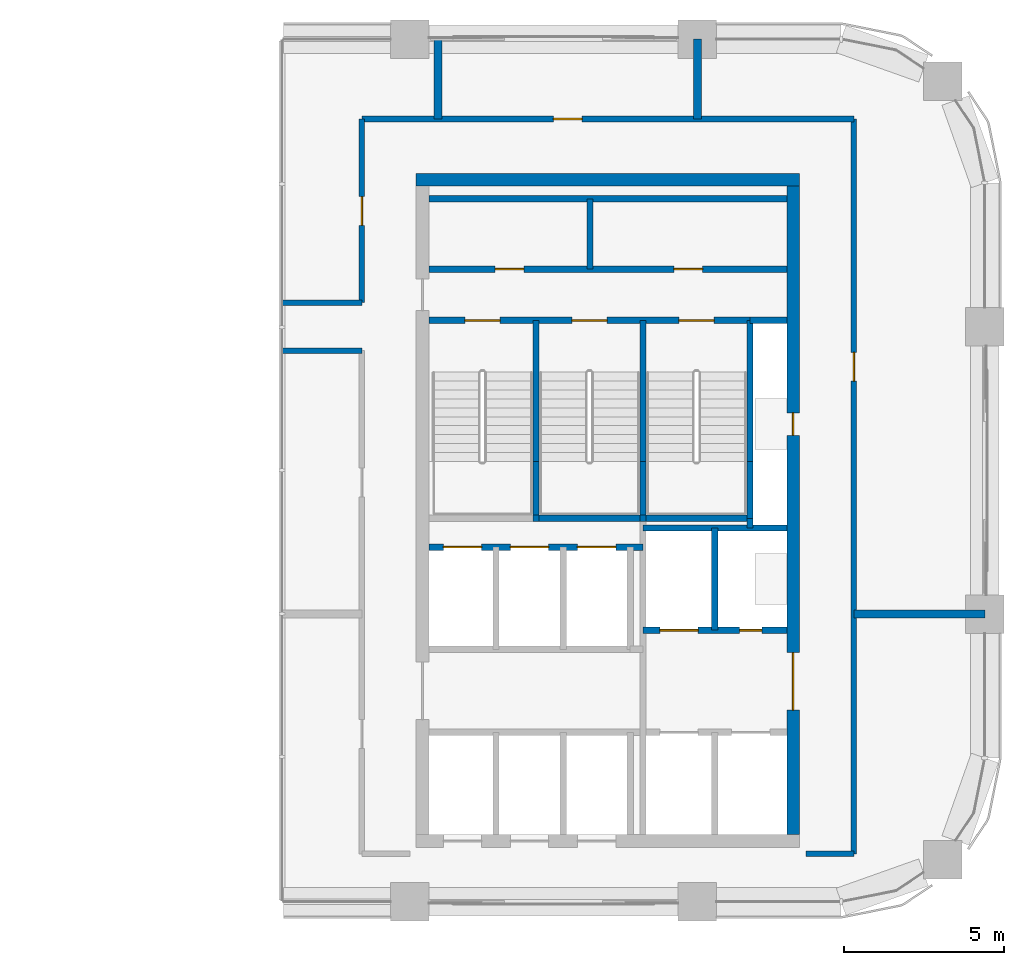
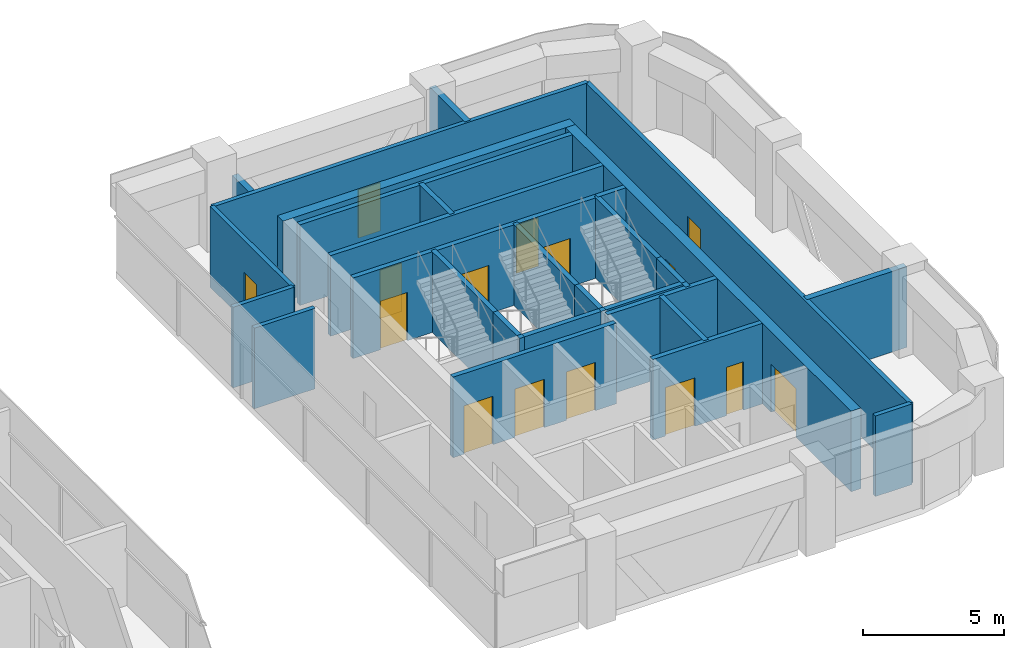
# One storey, part 8 of 11: 31 walls, 15 doors, 15 openings.
"""IFC4 building model written with IfcOpenShell, lengths in metres."""

from ifc_helpers import new_model, si_unit, direction, frame, frame_2d, origin, place, context, subcontext, project, spatial, rectangle, extrude, material, layer, layer_set, type_object, element, fill, save


model = new_model("IFC4")

# Units and contexts
model_context = context("Model", 3, precision=1e-05, world=origin(), true_north=direction((0.0, 1.0)))
body_context = subcontext(model_context, "Body", "Model", "MODEL_VIEW")
ifc_project = project(units=[si_unit("LENGTHUNIT", "METRE"), si_unit("AREAUNIT", "SQUARE_METRE"), si_unit("VOLUMEUNIT", "CUBIC_METRE"), si_unit("PLANEANGLEUNIT", "RADIAN"), si_unit("MASSUNIT", "GRAM", prefix="KILO")], contexts=[model_context])

# Site, building, storey
site_placement = place(None, origin())
site = spatial("IfcSite", under=ifc_project, at=site_placement, CompositionType="ELEMENT")
building_placement = place(site_placement, origin())
building = spatial("IfcBuilding", under=site, at=building_placement, Name="Tessera Arch", CompositionType="ELEMENT")
storey_placement = place(building_placement, frame((0.0, 0.0, 222.800048828125)))
storey = spatial("IfcBuildingStorey", under=building, at=storey_placement, Name="L53", CompositionType="ELEMENT", Elevation=222.800048828125)

# Wall
ifc_material_1 = material(Name="Gypsum board on steel stud", Category="steel")
ifc_layer_1 = layer(ifc_material_1, 0.125)
ifc_layer_set_1 = layer_set([ifc_layer_1], Name="Core partition 125 EI 60")
wall_type_1 = type_object("IfcWallType", Name="Core partition 125 EI 60", PredefinedType="PARTITIONING", material=ifc_layer_set_1)
wall_1_placement = place(storey_placement, frame((41.639892578125, 46.800048828125, 0.0), z_axis=(0.0, 0.0, 1.0), x_axis=(0.0, 1.0, 0.0)))
element("IfcWall", 1, at=wall_1_placement, inside=storey, type_object=wall_type_1, Name="L53 C1 partition wall 7", PredefinedType="PARTITIONING", context=body_context, shape_type="SweptSolid", body=[
    extrude(rectangle(XDim=2.199951171875, YDim=0.199951171875, at=frame_2d((1.10009765625, 0.0))), origin(), (0.0, 0.0, 1.0), 3.5),
])

# Wall, openings, doors
wall_2_placement = place(storey_placement, frame((36.60009765625, 46.800048828125, 0.0), z_axis=(0.0, 0.0, 1.0), x_axis=(1.0, 0.0, 0.0)))
wall_2 = element("IfcWall", 2, at=wall_2_placement, inside=storey, type_object=wall_type_1, Name="L53 C1 partition wall 31", PredefinedType="PARTITIONING", context=body_context, shape_type="SweptSolid", body=[
    extrude(rectangle(XDim=11.199951171875, YDim=0.199951171875, at=frame_2d((5.60009765625, 0.0))), origin(), (0.0, 0.0, 1.0), 3.5),
])
opening_1_placement = place(wall_2_placement, frame((2.070068359375, 0.0, 0.0)))
opening_1 = element("IfcOpeningElement", 3, at=opening_1_placement, cuts=wall_2, Name="Opening L53-C18", PredefinedType="OPENING", context=body_context, shape_type="SweptSolid", body=[
    extrude(rectangle(XDim=0.89990234375, YDim=2.10009765625, at=frame_2d((0.449951171875, 1.050048828125))), frame((0.0, 0.10986328125, 0.0), z_axis=(0.0, -1.0, 0.0), x_axis=(1.0, 0.0, 0.0)), (0.0, 0.0, 1.0), 0.219970703125),
])
opening_2_placement = place(wall_2_placement, frame((7.669921875, 0.0, 0.0)))
opening_2 = element("IfcOpeningElement", 4, at=opening_2_placement, cuts=wall_2, Name="Opening L53-C19", PredefinedType="OPENING", context=body_context, shape_type="SweptSolid", body=[
    extrude(rectangle(XDim=0.89990234375, YDim=2.10009765625, at=frame_2d((0.449951171875, 1.050048828125))), frame((0.0, 0.10986328125, 0.0), z_axis=(0.0, -1.0, 0.0), x_axis=(1.0, 0.0, 0.0)), (0.0, 0.0, 1.0), 0.219970703125),
])
ifc_material_2 = material(Name="Steel door leaf", Category="steel")
door_type_1 = type_object("IfcDoorType", Name="Store door FD30S 900 x 2100", OperationType="SINGLE_SWING_LEFT", PredefinedType="DOOR", material=ifc_material_2)
door_1_placement = place(opening_1_placement, origin())
door_1 = element("IfcDoor", 5, at=door_1_placement, inside=storey, type_object=door_type_1, Name="L53 C1 door 18 C18 type D09", OperationType="SINGLE_SWING_LEFT", OverallHeight=2.10009765625, OverallWidth=0.89990234375, PredefinedType="DOOR", context=body_context, shape_type="SweptSolid", body=[
    extrude(rectangle(XDim=0.89990234375, YDim=2.10009765625, at=frame_2d((0.449951171875, 1.050048828125))), frame((0.0, 0.02490234375, 0.0), z_axis=(0.0, -1.0, 0.0), x_axis=(1.0, 0.0, 0.0)), (0.0, 0.0, 1.0), 0.050048828125),
])
fill(opening_1, door_1)
door_2_placement = place(opening_2_placement, origin())
door_2 = element("IfcDoor", 6, at=door_2_placement, inside=storey, type_object=door_type_1, Name="L53 C1 door 19 C19 type D09", OperationType="SINGLE_SWING_RIGHT", OverallHeight=2.10009765625, OverallWidth=0.89990234375, PredefinedType="DOOR", context=body_context, shape_type="SweptSolid", body=[
    extrude(rectangle(XDim=0.89990234375, YDim=2.10009765625, at=frame_2d((0.449951171875, 1.050048828125))), frame((0.0, 0.02490234375, 0.0), z_axis=(0.0, -1.0, 0.0), x_axis=(1.0, 0.0, 0.0)), (0.0, 0.0, 1.0), 0.050048828125),
])
fill(opening_2, door_2)

# Walls
wall_3_placement = place(storey_placement, frame((36.60009765625, 49.0, 0.0), z_axis=(0.0, 0.0, 1.0), x_axis=(1.0, 0.0, 0.0)))
element("IfcWall", 7, at=wall_3_placement, inside=storey, type_object=wall_type_1, Name="L53 C1 partition wall 32", PredefinedType="PARTITIONING", context=body_context, shape_type="SweptSolid", body=[
    extrude(rectangle(XDim=11.199951171875, YDim=0.199951171875, at=frame_2d((5.60009765625, 0.0))), origin(), (0.0, 0.0, 1.0), 3.5),
])
ifc_material_3 = material(Name="Concrete C50/60", Category="concrete")
ifc_layer_2 = layer(ifc_material_3, 0.39990234375)
ifc_layer_set_2 = layer_set([ifc_layer_2], Name="Core shell wall 400 C50-60")
wall_type_2 = type_object("IfcWallType", Name="Core shell wall 400 C50-60", PredefinedType="SHEAR", material=ifc_layer_set_2)
wall_4_placement = place(storey_placement, frame((36.199951171875, 49.60009765625, 0.0), z_axis=(0.0, 0.0, 1.0), x_axis=(1.0, 0.0, 0.0)))
element("IfcWall", 8, at=wall_4_placement, inside=storey, type_object=wall_type_2, Name="L53 C1 core wall N", PredefinedType="SHEAR", context=body_context, shape_type="SweptSolid", body=[
    extrude(rectangle(XDim=12.0, YDim=0.39990234375, at=frame_2d((6.0, 0.0))), origin(), (0.0, 0.0, 1.0), 3.5),
])

# Wall, openings, doors
wall_5_placement = place(storey_placement, frame((48.0, 29.10009765625, 0.0), z_axis=(0.0, 0.0, 1.0), x_axis=(0.0, 1.0, 0.0)))
wall_5 = element("IfcWall", 9, at=wall_5_placement, inside=storey, type_object=wall_type_2, Name="L53 C1 core wall E", PredefinedType="SHEAR", context=body_context, shape_type="SweptSolid", body=[
    extrude(rectangle(XDim=20.2998046875, YDim=0.39990234375, at=frame_2d((10.14990234375, 0.0))), origin(), (0.0, 0.0, 1.0), 3.5),
])
opening_3_placement = place(wall_5_placement, frame((12.5, 0.0, 0.0)))
opening_3 = element("IfcOpeningElement", 10, at=opening_3_placement, cuts=wall_5, Name="Opening L53-C14", PredefinedType="OPENING", context=body_context, shape_type="SweptSolid", body=[
    extrude(rectangle(XDim=0.699951171875, YDim=2.10009765625, at=frame_2d((0.35009765625, 1.050048828125))), frame((0.0, 0.2099609375, 0.0), z_axis=(0.0, -1.0, 0.0), x_axis=(1.0, 0.0, 0.0)), (0.0, 0.0, 1.0), 0.419921875),
])
opening_4_placement = place(wall_5_placement, frame((3.89990234375, 0.0, 0.0)))
opening_4 = element("IfcOpeningElement", 11, at=opening_4_placement, cuts=wall_5, Name="Opening L53-C15", PredefinedType="OPENING", context=body_context, shape_type="SweptSolid", body=[
    extrude(rectangle(XDim=1.800048828125, YDim=2.10009765625, at=frame_2d((0.89990234375, 1.050048828125))), frame((0.0, 0.2099609375, 0.0), z_axis=(0.0, -1.0, 0.0), x_axis=(1.0, 0.0, 0.0)), (0.0, 0.0, 1.0), 0.419921875),
])
ifc_material_4 = material(Name="Glazed steel door leaf", Category="steel")
door_type_2 = type_object("IfcDoorType", Name="Lobby double door FD60 1800 x 2100", OperationType="DOUBLE_DOOR_SINGLE_SWING", PredefinedType="DOOR", material=ifc_material_4)
door_3_placement = place(opening_4_placement, origin())
door_3 = element("IfcDoor", 12, at=door_3_placement, inside=storey, type_object=door_type_2, Name="L53 C1 door 15 C15 type D19", OperationType="DOUBLE_DOOR_SINGLE_SWING", OverallHeight=2.10009765625, OverallWidth=1.800048828125, PredefinedType="DOOR", context=body_context, shape_type="SweptSolid", body=[
    extrude(rectangle(XDim=1.800048828125, YDim=2.10009765625, at=frame_2d((0.89990234375, 1.050048828125))), frame((0.0, 0.02490234375, 0.0), z_axis=(0.0, -1.0, 0.0), x_axis=(1.0, 0.0, 0.0)), (0.0, 0.0, 1.0), 0.050048828125),
])
fill(opening_4, door_3)
ifc_material_5 = material(Name="Steel door leaf", Category="steel")
door_type_3 = type_object("IfcDoorType", Name="Service shaft door FD60 700 x 2100", OperationType="SINGLE_SWING_LEFT", PredefinedType="DOOR", material=ifc_material_5)
door_4_placement = place(opening_3_placement, origin())
door_4 = element("IfcDoor", 13, at=door_4_placement, inside=storey, type_object=door_type_3, Name="L53 C1 door 14 C14 type D07", OperationType="SINGLE_SWING_RIGHT", OverallHeight=2.10009765625, OverallWidth=0.699951171875, PredefinedType="DOOR", context=body_context, shape_type="SweptSolid", body=[
    extrude(rectangle(XDim=0.699951171875, YDim=2.10009765625, at=frame_2d((0.35009765625, 1.050048828125))), frame((0.0, 0.02490234375, 0.0), z_axis=(0.0, -1.0, 0.0), x_axis=(1.0, 0.0, 0.0)), (0.0, 0.0, 1.0), 0.050048828125),
])
fill(opening_3, door_4)

# Walls
ifc_material_6 = material(Name="Gypsum board on deep steel stud with mineral wool", Category="steel")
ifc_layer_3 = layer(ifc_material_6, 0.175048828125)
ifc_layer_set_3 = layer_set([ifc_layer_3], Name="Corridor wall 175 EI 60")
wall_type_3 = type_object("IfcWallType", Name="Corridor wall 175 EI 60", PredefinedType="PARTITIONING", material=ifc_layer_set_3)
wall_6_placement = place(storey_placement, frame((48.39990234375, 28.5, 0.0), z_axis=(0.0, 0.0, 1.0), x_axis=(1.0, 0.0, 0.0)))
element("IfcWall", 14, at=wall_6_placement, inside=storey, type_object=wall_type_3, Name="L53 partition 4", PredefinedType="PARTITIONING", context=body_context, shape_type="SweptSolid", body=[
    extrude(rectangle(XDim=1.5, YDim=0.175048828125, at=frame_2d((0.75, 0.0))), origin(), (0.0, 0.0, 1.0), 3.5),
])
for number, where, z_axis, x_axis, name in (
    (15, (32.0, 44.25, 0.0), (0.0, 0.0, 1.0), (1.0, 0.0, 0.0), "L53 partition 6"),
    (16, (32.0, 45.75, 0.0), (0.0, 0.0, 1.0), (1.0, 0.0, 0.0), "L53 partition 8"),
):
    element("IfcWall", number, at=place(storey_placement, frame(where, z_axis=z_axis, x_axis=x_axis)), inside=storey, type_object=wall_type_3, Name=name, PredefinedType="PARTITIONING", context=body_context, shape_type="SweptSolid", body=[
        extrude(rectangle(XDim=2.5, YDim=0.175048828125, at=frame_2d((1.25, 0.0))), origin(), (0.0, 0.0, 1.0), 3.5),
    ])

# Wall, opening, door
wall_7_placement = place(storey_placement, frame((34.5, 51.5, 0.0), z_axis=(0.0, 0.0, 1.0), x_axis=(1.0, 0.0, 0.0)))
wall_7 = element("IfcWall", 17, at=wall_7_placement, inside=storey, type_object=wall_type_3, Name="L53 partition 10", PredefinedType="PARTITIONING", context=body_context, shape_type="SweptSolid", body=[
    extrude(rectangle(XDim=15.39990234375, YDim=0.175048828125, at=frame_2d((7.699951171875, 0.0))), origin(), (0.0, 0.0, 1.0), 3.5),
])
opening_5_placement = place(wall_7_placement, frame((5.9951171875, 0.0, 0.0)))
opening_5 = element("IfcOpeningElement", 18, at=opening_5_placement, cuts=wall_7, Name="Opening L53-D010", PredefinedType="OPENING", context=body_context, shape_type="SweptSolid", body=[
    extrude(rectangle(XDim=0.89990234375, YDim=2.10009765625, at=frame_2d((0.449951171875, 1.050048828125))), frame((0.0, 0.097412109375, 0.0), z_axis=(0.0, -1.0, 0.0), x_axis=(1.0, 0.0, 0.0)), (0.0, 0.0, 1.0), 0.195068359375),
])
ifc_material_7 = material(Name="Timber door leaf", Category="wood")
door_type_4 = type_object("IfcDoorType", Name="Room door 900 x 2100", OperationType="SINGLE_SWING_LEFT", PredefinedType="DOOR", material=ifc_material_7)
door_5_placement = place(opening_5_placement, origin())
door_5 = element("IfcDoor", 19, at=door_5_placement, inside=storey, type_object=door_type_4, Name="L53 door D010 type D01", OperationType="SINGLE_SWING_RIGHT", OverallHeight=2.10009765625, OverallWidth=0.89990234375, PredefinedType="DOOR", context=body_context, shape_type="SweptSolid", body=[
    extrude(rectangle(XDim=0.89990234375, YDim=2.10009765625, at=frame_2d((0.449951171875, 1.050048828125))), frame((0.0, 0.02490234375, 0.0), z_axis=(0.0, -1.0, 0.0), x_axis=(1.0, 0.0, 0.0)), (0.0, 0.0, 1.0), 0.050048828125),
])
fill(opening_5, door_5)

wall_8_placement = place(storey_placement, frame((34.5, 45.75, 0.0), z_axis=(0.0, 0.0, 1.0), x_axis=(0.0, 1.0, 0.0)))
wall_8 = element("IfcWall", 20, at=wall_8_placement, inside=storey, type_object=wall_type_3, Name="L53 partition 15", PredefinedType="PARTITIONING", context=body_context, shape_type="SweptSolid", body=[
    extrude(rectangle(XDim=5.75, YDim=0.175048828125, at=frame_2d((2.875, 0.0))), origin(), (0.0, 0.0, 1.0), 3.5),
])
opening_6_placement = place(wall_8_placement, frame((2.425048828125, 0.0, 0.0)))
opening_6 = element("IfcOpeningElement", 21, at=opening_6_placement, cuts=wall_8, Name="Opening L53-D008", PredefinedType="OPENING", context=body_context, shape_type="SweptSolid", body=[
    extrude(rectangle(XDim=0.89990234375, YDim=2.10009765625, at=frame_2d((0.449951171875, 1.050048828125))), frame((0.0, 0.097412109375, 0.0), z_axis=(0.0, -1.0, 0.0), x_axis=(1.0, 0.0, 0.0)), (0.0, 0.0, 1.0), 0.195068359375),
])
door_6_placement = place(opening_6_placement, origin())
door_6 = element("IfcDoor", 22, at=door_6_placement, inside=storey, type_object=door_type_4, Name="L53 door D008 type D01", OperationType="SINGLE_SWING_RIGHT", OverallHeight=2.10009765625, OverallWidth=0.89990234375, PredefinedType="DOOR", context=body_context, shape_type="SweptSolid", body=[
    extrude(rectangle(XDim=0.89990234375, YDim=2.10009765625, at=frame_2d((0.449951171875, 1.050048828125))), frame((0.0, 0.02490234375, 0.0), z_axis=(0.0, -1.0, 0.0), x_axis=(1.0, 0.0, 0.0)), (0.0, 0.0, 1.0), 0.050048828125),
])
fill(opening_6, door_6)

wall_9_placement = place(storey_placement, frame((49.89990234375, 28.5, 0.0), z_axis=(0.0, 0.0, 1.0), x_axis=(0.0, 1.0, 0.0)))
wall_9 = element("IfcWall", 23, at=wall_9_placement, inside=storey, type_object=wall_type_3, Name="L53 partition 16", PredefinedType="PARTITIONING", context=body_context, shape_type="SweptSolid", body=[
    extrude(rectangle(XDim=23.0, YDim=0.175048828125, at=frame_2d((11.5, 0.0))), origin(), (0.0, 0.0, 1.0), 3.5),
])
opening_7_placement = place(wall_9_placement, frame((14.800048828125, 0.0, 0.0)))
opening_7 = element("IfcOpeningElement", 24, at=opening_7_placement, cuts=wall_9, Name="Opening L53-D006", PredefinedType="OPENING", context=body_context, shape_type="SweptSolid", body=[
    extrude(rectangle(XDim=0.89990234375, YDim=2.10009765625, at=frame_2d((0.449951171875, 1.050048828125))), frame((0.0, 0.097412109375, 0.0), z_axis=(0.0, -1.0, 0.0), x_axis=(1.0, 0.0, 0.0)), (0.0, 0.0, 1.0), 0.195068359375),
])
door_7_placement = place(opening_7_placement, origin())
door_7 = element("IfcDoor", 25, at=door_7_placement, inside=storey, type_object=door_type_4, Name="L53 door D006 type D01", OperationType="SINGLE_SWING_LEFT", OverallHeight=2.10009765625, OverallWidth=0.89990234375, PredefinedType="DOOR", context=body_context, shape_type="SweptSolid", body=[
    extrude(rectangle(XDim=0.89990234375, YDim=2.10009765625, at=frame_2d((0.449951171875, 1.050048828125))), frame((0.0, 0.02490234375, 0.0), z_axis=(0.0, -1.0, 0.0), x_axis=(1.0, 0.0, 0.0)), (0.0, 0.0, 1.0), 0.050048828125),
])
fill(opening_7, door_7)

# Walls
ifc_material_8 = material(Name="Double gypsum board on twin steel stud with acoustic mineral wool", Category="steel")
ifc_layer_4 = layer(ifc_material_8, 0.25)
ifc_layer_set_4 = layer_set([ifc_layer_4], Name="Party wall 250 EI 60")
wall_type_4 = type_object("IfcWallType", Name="Party wall 250 EI 60", PredefinedType="PARTITIONING", material=ifc_layer_set_4)
wall_10_placement = place(storey_placement, frame((49.89990234375, 36.0, 0.0), z_axis=(0.0, 0.0, 1.0), x_axis=(1.0, 0.0, 0.0)))
element("IfcWall", 26, at=wall_10_placement, inside=storey, type_object=wall_type_4, Name="L53 partition 20", PredefinedType="PARTITIONING", context=body_context, shape_type="SweptSolid", body=[
    extrude(rectangle(XDim=4.10009765625, YDim=0.25, at=frame_2d((2.050048828125, 0.0))), origin(), (0.0, 0.0, 1.0), 3.5),
])
wall_11_placement = place(storey_placement, frame((36.889892578125, 51.5, 0.0), z_axis=(0.0, 0.0, 1.0), x_axis=(0.0, 1.0, 0.0)))
element("IfcWall", 27, at=wall_11_placement, inside=storey, type_object=wall_type_4, Name="L53 partition 23", PredefinedType="PARTITIONING", context=body_context, shape_type="SweptSolid", body=[
    extrude(rectangle(XDim=2.5, YDim=0.25, at=frame_2d((1.25, 0.0))), origin(), (0.0, 0.0, 1.0), 2.5),
])
wall_12_placement = place(storey_placement, frame((45.0, 51.5, 0.0), z_axis=(0.0, 0.0, 1.0), x_axis=(0.0, 1.0, 0.0)))
element("IfcWall", 28, at=wall_12_placement, inside=storey, type_object=wall_type_4, Name="L53 partition 24", PredefinedType="PARTITIONING", context=body_context, shape_type="SweptSolid", body=[
    extrude(rectangle(XDim=2.5, YDim=0.25, at=frame_2d((1.25, 0.0))), origin(), (0.0, 0.0, 1.0), 3.5),
])
ifc_material_9 = material(Name="Concrete C40/50", Category="concrete")
ifc_layer_5 = layer(ifc_material_9, 0.199951171875)
ifc_layer_set_5 = layer_set([ifc_layer_5], Name="Shaft wall 200 EI 120")
wall_type_5 = type_object("IfcWallType", Name="Shaft wall 200 EI 120", PredefinedType="SOLIDWALL", material=ifc_layer_set_5)
wall_13_placement = place(storey_placement, frame((45.550048828125, 35.5, 0.0), z_axis=(0.0, 0.0, 1.0), x_axis=(0.0, 1.0, 0.0)))
element("IfcWall", 29, at=wall_13_placement, inside=storey, type_object=wall_type_5, Name="L53 C1 shaft wall 14", PredefinedType="SOLIDWALL", context=body_context, shape_type="SweptSolid", body=[
    extrude(rectangle(XDim=3.199951171875, YDim=0.199951171875, at=frame_2d((1.60009765625, 0.0))), origin(), (0.0, 0.0, 1.0), 3.5),
])
wall_14_placement = place(storey_placement, frame((46.64990234375, 38.699951171875, 0.0), z_axis=(0.0, 0.0, 1.0), x_axis=(0.0, 1.0, 0.0)))
element("IfcWall", 30, at=wall_14_placement, inside=storey, type_object=wall_type_5, Name="L53 C1 shaft wall 15", PredefinedType="SOLIDWALL", context=body_context, shape_type="SweptSolid", body=[
    extrude(rectangle(XDim=0.300048828125, YDim=0.199951171875, at=frame_2d((0.14990234375, 0.0))), origin(), (0.0, 0.0, 1.0), 3.5),
])

# Wall, openings, doors
wall_15_placement = place(storey_placement, frame((43.300048828125, 35.5, 0.0), z_axis=(0.0, 0.0, 1.0), x_axis=(1.0, 0.0, 0.0)))
wall_15 = element("IfcWall", 31, at=wall_15_placement, inside=storey, type_object=wall_type_5, Name="L53 C1 shaft wall 21", PredefinedType="SOLIDWALL", context=body_context, shape_type="SweptSolid", body=[
    extrude(rectangle(XDim=4.5, YDim=0.199951171875, at=frame_2d((2.25, 0.0))), origin(), (0.0, 0.0, 1.0), 3.5),
])
opening_8_placement = place(wall_15_placement, frame((0.52490234375, 0.0, 0.0)))
opening_8 = element("IfcOpeningElement", 32, at=opening_8_placement, cuts=wall_15, Name="Opening L53-C09", PredefinedType="OPENING", context=body_context, shape_type="SweptSolid", body=[
    extrude(rectangle(XDim=1.199951171875, YDim=2.10009765625, at=frame_2d((0.60009765625, 1.050048828125))), frame((0.0, 0.10986328125, 0.0), z_axis=(0.0, -1.0, 0.0), x_axis=(1.0, 0.0, 0.0)), (0.0, 0.0, 1.0), 0.219970703125),
])
opening_9_placement = place(wall_15_placement, frame((3.02490234375, 0.0, 0.0)))
opening_9 = element("IfcOpeningElement", 33, at=opening_9_placement, cuts=wall_15, Name="Opening L53-C16", PredefinedType="OPENING", context=body_context, shape_type="SweptSolid", body=[
    extrude(rectangle(XDim=0.699951171875, YDim=2.10009765625, at=frame_2d((0.35009765625, 1.050048828125))), frame((0.0, 0.10986328125, 0.0), z_axis=(0.0, -1.0, 0.0), x_axis=(1.0, 0.0, 0.0)), (0.0, 0.0, 1.0), 0.219970703125),
])
door_8_placement = place(opening_9_placement, origin())
door_8 = element("IfcDoor", 34, at=door_8_placement, inside=storey, type_object=door_type_3, Name="L53 C1 door 16 C16 type D07", OperationType="SINGLE_SWING_RIGHT", OverallHeight=2.10009765625, OverallWidth=0.699951171875, PredefinedType="DOOR", context=body_context, shape_type="SweptSolid", body=[
    extrude(rectangle(XDim=0.699951171875, YDim=2.10009765625, at=frame_2d((0.35009765625, 1.050048828125))), frame((0.0, 0.02490234375, 0.0), z_axis=(0.0, -1.0, 0.0), x_axis=(1.0, 0.0, 0.0)), (0.0, 0.0, 1.0), 0.050048828125),
])
fill(opening_9, door_8)
ifc_material_10 = material(Name="Stainless steel AISI 304", Category="steel")
door_type_5 = type_object("IfcDoorType", Name="Sliding landing door 1200 x 2100", OperationType="SLIDING_TO_LEFT", PredefinedType="DOOR", material=ifc_material_10)
door_9_placement = place(opening_8_placement, origin())
door_9 = element("IfcDoor", 35, at=door_9_placement, inside=storey, type_object=door_type_5, Name="L53 SV2 lift landing door C09 type LD", OperationType="SLIDING_TO_LEFT", OverallHeight=2.10009765625, OverallWidth=1.199951171875, PredefinedType="DOOR", context=body_context, shape_type="SweptSolid", body=[
    extrude(rectangle(XDim=1.199951171875, YDim=2.10009765625, at=frame_2d((0.60009765625, 1.050048828125))), frame((0.0, 0.02490234375, 0.0), z_axis=(0.0, -1.0, 0.0), x_axis=(1.0, 0.0, 0.0)), (0.0, 0.0, 1.0), 0.050048828125),
])
fill(opening_8, door_9)

wall_16_placement = place(storey_placement, frame((36.60009765625, 38.10009765625, 0.0), z_axis=(0.0, 0.0, 1.0), x_axis=(1.0, 0.0, 0.0)))
wall_16 = element("IfcWall", 36, at=wall_16_placement, inside=storey, type_object=wall_type_5, Name="L53 C1 shaft wall 22", PredefinedType="SOLIDWALL", context=body_context, shape_type="SweptSolid", body=[
    extrude(rectangle(XDim=6.699951171875, YDim=0.199951171875, at=frame_2d((3.35009765625, 0.0))), origin(), (0.0, 0.0, 1.0), 3.5),
])
opening_10_placement = place(wall_16_placement, frame((0.449951171875, 0.0, 0.0)))
opening_10 = element("IfcOpeningElement", 37, at=opening_10_placement, cuts=wall_16, Name="Opening L53-C02", PredefinedType="OPENING", context=body_context, shape_type="SweptSolid", body=[
    extrude(rectangle(XDim=1.199951171875, YDim=2.10009765625, at=frame_2d((0.60009765625, 1.050048828125))), frame((0.0, 0.10986328125, 0.0), z_axis=(0.0, -1.0, 0.0), x_axis=(1.0, 0.0, 0.0)), (0.0, 0.0, 1.0), 0.219970703125),
])
opening_11_placement = place(wall_16_placement, frame((2.550048828125, 0.0, 0.0)))
opening_11 = element("IfcOpeningElement", 38, at=opening_11_placement, cuts=wall_16, Name="Opening L53-C04", PredefinedType="OPENING", context=body_context, shape_type="SweptSolid", body=[
    extrude(rectangle(XDim=1.199951171875, YDim=2.10009765625, at=frame_2d((0.60009765625, 1.050048828125))), frame((0.0, 0.10986328125, 0.0), z_axis=(0.0, -1.0, 0.0), x_axis=(1.0, 0.0, 0.0)), (0.0, 0.0, 1.0), 0.219970703125),
])
opening_12_placement = place(wall_16_placement, frame((4.64990234375, 0.0, 0.0)))
opening_12 = element("IfcOpeningElement", 39, at=opening_12_placement, cuts=wall_16, Name="Opening L53-C06", PredefinedType="OPENING", context=body_context, shape_type="SweptSolid", body=[
    extrude(rectangle(XDim=1.199951171875, YDim=2.10009765625, at=frame_2d((0.60009765625, 1.050048828125))), frame((0.0, 0.10986328125, 0.0), z_axis=(0.0, -1.0, 0.0), x_axis=(1.0, 0.0, 0.0)), (0.0, 0.0, 1.0), 0.219970703125),
])
door_10_placement = place(opening_10_placement, origin())
door_10 = element("IfcDoor", 40, at=door_10_placement, inside=storey, type_object=door_type_5, Name="L53 HR4 lift landing door C02 type LD", OperationType="SLIDING_TO_LEFT", OverallHeight=2.10009765625, OverallWidth=1.199951171875, PredefinedType="DOOR", context=body_context, shape_type="SweptSolid", body=[
    extrude(rectangle(XDim=1.199951171875, YDim=2.10009765625, at=frame_2d((0.60009765625, 1.050048828125))), frame((0.0, 0.02490234375, 0.0), z_axis=(0.0, -1.0, 0.0), x_axis=(1.0, 0.0, 0.0)), (0.0, 0.0, 1.0), 0.050048828125),
])
fill(opening_10, door_10)
door_11_placement = place(opening_11_placement, origin())
door_11 = element("IfcDoor", 41, at=door_11_placement, inside=storey, type_object=door_type_5, Name="L53 HR5 lift landing door C04 type LD", OperationType="SLIDING_TO_LEFT", OverallHeight=2.10009765625, OverallWidth=1.199951171875, PredefinedType="DOOR", context=body_context, shape_type="SweptSolid", body=[
    extrude(rectangle(XDim=1.199951171875, YDim=2.10009765625, at=frame_2d((0.60009765625, 1.050048828125))), frame((0.0, 0.02490234375, 0.0), z_axis=(0.0, -1.0, 0.0), x_axis=(1.0, 0.0, 0.0)), (0.0, 0.0, 1.0), 0.050048828125),
])
fill(opening_11, door_11)
door_12_placement = place(opening_12_placement, origin())
door_12 = element("IfcDoor", 42, at=door_12_placement, inside=storey, type_object=door_type_5, Name="L53 HR6 lift landing door C06 type LD", OperationType="SLIDING_TO_LEFT", OverallHeight=2.10009765625, OverallWidth=1.199951171875, PredefinedType="DOOR", context=body_context, shape_type="SweptSolid", body=[
    extrude(rectangle(XDim=1.199951171875, YDim=2.10009765625, at=frame_2d((0.60009765625, 1.050048828125))), frame((0.0, 0.02490234375, 0.0), z_axis=(0.0, -1.0, 0.0), x_axis=(1.0, 0.0, 0.0)), (0.0, 0.0, 1.0), 0.050048828125),
])
fill(opening_12, door_12)

# Walls
wall_17_placement = place(storey_placement, frame((43.300048828125, 38.699951171875, 0.0), z_axis=(0.0, 0.0, 1.0), x_axis=(1.0, 0.0, 0.0)))
element("IfcWall", 43, at=wall_17_placement, inside=storey, type_object=wall_type_5, Name="L53 C1 shaft wall 23", PredefinedType="SOLIDWALL", context=body_context, shape_type="SweptSolid", body=[
    extrude(rectangle(XDim=4.5, YDim=0.199951171875, at=frame_2d((2.25, 0.0))), origin(), (0.0, 0.0, 1.0), 3.5),
])
wall_18_placement = place(storey_placement, frame((46.64990234375, 45.199951171875, 0.0), z_axis=(0.0, 0.0, 1.0), x_axis=(1.0, 0.0, 0.0)))
element("IfcWall", 44, at=wall_18_placement, inside=storey, type_object=wall_type_5, Name="L53 C1 shaft wall 29", PredefinedType="SOLIDWALL", context=body_context, shape_type="SweptSolid", body=[
    extrude(rectangle(XDim=1.150146484375, YDim=0.199951171875, at=frame_2d((0.5751953125, 0.0))), origin(), (0.0, 0.0, 1.0), 3.5),
])
ifc_material_11 = material(Name="Concrete C40/50", Category="concrete")
ifc_layer_6 = layer(ifc_material_11, 0.199951171875)
ifc_layer_set_6 = layer_set([ifc_layer_6], Name="Stair well wall 200 REI 180")
wall_type_6 = type_object("IfcWallType", Name="Stair well wall 200 REI 180", PredefinedType="SOLIDWALL", material=ifc_layer_set_6)
wall_19_placement = place(storey_placement, frame((39.949951171875, 39.0, 0.0), z_axis=(0.0, 0.0, 1.0), x_axis=(0.0, 1.0, 0.0)))
element("IfcWall", 45, at=wall_19_placement, inside=storey, type_object=wall_type_6, Name="L53 C1 shaft wall 3", PredefinedType="SOLIDWALL", context=body_context, shape_type="SweptSolid", body=[
    extrude(rectangle(XDim=1.780029296875, YDim=0.199951171875, at=frame_2d((0.89013671875, 0.0))), origin(), (0.0, 0.0, 1.0), 3.5),
])
wall_20_placement = place(storey_placement, frame((39.949951171875, 40.780029296875, 0.0), z_axis=(0.0, 0.0, 1.0), x_axis=(0.0, 1.0, 0.0)))
element("IfcWall", 46, at=wall_20_placement, inside=storey, type_object=wall_type_6, Name="L53 C1 shaft wall 4", PredefinedType="SOLIDWALL", context=body_context, shape_type="SweptSolid", body=[
    extrude(rectangle(XDim=4.419921875, YDim=0.199951171875, at=frame_2d((2.2099609375, 0.0))), origin(), (0.0, 0.0, 1.0), 3.5),
])
wall_21_placement = place(storey_placement, frame((43.300048828125, 39.0, 0.0), z_axis=(0.0, 0.0, 1.0), x_axis=(0.0, 1.0, 0.0)))
element("IfcWall", 47, at=wall_21_placement, inside=storey, type_object=wall_type_6, Name="L53 C1 shaft wall 11", PredefinedType="SOLIDWALL", context=body_context, shape_type="SweptSolid", body=[
    extrude(rectangle(XDim=1.780029296875, YDim=0.199951171875, at=frame_2d((0.89013671875, 0.0))), origin(), (0.0, 0.0, 1.0), 3.5),
])
wall_22_placement = place(storey_placement, frame((43.300048828125, 40.780029296875, 0.0), z_axis=(0.0, 0.0, 1.0), x_axis=(0.0, 1.0, 0.0)))
element("IfcWall", 48, at=wall_22_placement, inside=storey, type_object=wall_type_6, Name="L53 C1 shaft wall 12", PredefinedType="SOLIDWALL", context=body_context, shape_type="SweptSolid", body=[
    extrude(rectangle(XDim=4.419921875, YDim=0.199951171875, at=frame_2d((2.2099609375, 0.0))), origin(), (0.0, 0.0, 1.0), 3.5),
])
wall_23_placement = place(storey_placement, frame((46.64990234375, 39.0, 0.0), z_axis=(0.0, 0.0, 1.0), x_axis=(0.0, 1.0, 0.0)))
element("IfcWall", 49, at=wall_23_placement, inside=storey, type_object=wall_type_6, Name="L53 C1 shaft wall 16", PredefinedType="SOLIDWALL", context=body_context, shape_type="SweptSolid", body=[
    extrude(rectangle(XDim=1.780029296875, YDim=0.199951171875, at=frame_2d((0.89013671875, 0.0))), origin(), (0.0, 0.0, 1.0), 3.5),
])
wall_24_placement = place(storey_placement, frame((46.64990234375, 40.780029296875, 0.0), z_axis=(0.0, 0.0, 1.0), x_axis=(0.0, 1.0, 0.0)))
element("IfcWall", 50, at=wall_24_placement, inside=storey, type_object=wall_type_6, Name="L53 C1 shaft wall 17", PredefinedType="SOLIDWALL", context=body_context, shape_type="SweptSolid", body=[
    extrude(rectangle(XDim=4.419921875, YDim=0.199951171875, at=frame_2d((2.2099609375, 0.0))), origin(), (0.0, 0.0, 1.0), 3.5),
])
wall_25_placement = place(storey_placement, frame((39.85009765625, 39.0, 0.0), z_axis=(0.0, 0.0, 1.0), x_axis=(1.0, 0.0, 0.0)))
element("IfcWall", 51, at=wall_25_placement, inside=storey, type_object=wall_type_6, Name="L53 C1 shaft wall 25", PredefinedType="SOLIDWALL", context=body_context, shape_type="SweptSolid", body=[
    extrude(rectangle(XDim=0.199951171875, YDim=0.199951171875, at=frame_2d((0.10009765625, 0.0))), origin(), (0.0, 0.0, 1.0), 3.5),
])
wall_26_placement = place(storey_placement, frame((40.050048828125, 39.0, 0.0), z_axis=(0.0, 0.0, 1.0), x_axis=(1.0, 0.0, 0.0)))
element("IfcWall", 52, at=wall_26_placement, inside=storey, type_object=wall_type_6, Name="L53 C1 shaft wall 26", PredefinedType="SOLIDWALL", context=body_context, shape_type="SweptSolid", body=[
    extrude(rectangle(XDim=3.14990234375, YDim=0.199951171875, at=frame_2d((1.574951171875, 0.0))), origin(), (0.0, 0.0, 1.0), 3.5),
])
wall_27_placement = place(storey_placement, frame((43.199951171875, 39.0, 0.0), z_axis=(0.0, 0.0, 1.0), x_axis=(1.0, 0.0, 0.0)))
element("IfcWall", 53, at=wall_27_placement, inside=storey, type_object=wall_type_6, Name="L53 C1 shaft wall 27", PredefinedType="SOLIDWALL", context=body_context, shape_type="SweptSolid", body=[
    extrude(rectangle(XDim=0.199951171875, YDim=0.199951171875, at=frame_2d((0.10009765625, 0.0))), origin(), (0.0, 0.0, 1.0), 3.5),
])
wall_28_placement = place(storey_placement, frame((43.39990234375, 39.0, 0.0), z_axis=(0.0, 0.0, 1.0), x_axis=(1.0, 0.0, 0.0)))
element("IfcWall", 54, at=wall_28_placement, inside=storey, type_object=wall_type_6, Name="L53 C1 shaft wall 28", PredefinedType="SOLIDWALL", context=body_context, shape_type="SweptSolid", body=[
    extrude(rectangle(XDim=3.25, YDim=0.199951171875, at=frame_2d((1.625, 0.0))), origin(), (0.0, 0.0, 1.0), 3.5),
])

# Wall, openings, doors
wall_29_placement = place(storey_placement, frame((36.60009765625, 45.199951171875, 0.0), z_axis=(0.0, 0.0, 1.0), x_axis=(1.0, 0.0, 0.0)))
wall_29 = element("IfcWall", 55, at=wall_29_placement, inside=storey, type_object=wall_type_6, Name="L53 C1 shaft wall 30", PredefinedType="SOLIDWALL", context=body_context, shape_type="SweptSolid", body=[
    extrude(rectangle(XDim=10.0498046875, YDim=0.199951171875, at=frame_2d((5.02490234375, 0.0))), origin(), (0.0, 0.0, 1.0), 3.5),
])
opening_13_placement = place(wall_29_placement, frame((1.125, 0.0, 0.0)))
opening_13 = element("IfcOpeningElement", 56, at=opening_13_placement, cuts=wall_29, Name="Opening L53-C11", PredefinedType="OPENING", context=body_context, shape_type="SweptSolid", body=[
    extrude(rectangle(XDim=1.10009765625, YDim=2.10009765625, at=frame_2d((0.550048828125, 1.050048828125))), frame((0.0, 0.10986328125, 0.0), z_axis=(0.0, -1.0, 0.0), x_axis=(1.0, 0.0, 0.0)), (0.0, 0.0, 1.0), 0.219970703125),
])
opening_14_placement = place(wall_29_placement, frame((4.47509765625, 0.0, 0.0)))
opening_14 = element("IfcOpeningElement", 57, at=opening_14_placement, cuts=wall_29, Name="Opening L53-C12", PredefinedType="OPENING", context=body_context, shape_type="SweptSolid", body=[
    extrude(rectangle(XDim=1.10009765625, YDim=2.10009765625, at=frame_2d((0.550048828125, 1.050048828125))), frame((0.0, 0.10986328125, 0.0), z_axis=(0.0, -1.0, 0.0), x_axis=(1.0, 0.0, 0.0)), (0.0, 0.0, 1.0), 0.219970703125),
])
opening_15_placement = place(wall_29_placement, frame((7.824951171875, 0.0, 0.0)))
opening_15 = element("IfcOpeningElement", 58, at=opening_15_placement, cuts=wall_29, Name="Opening L53-C13", PredefinedType="OPENING", context=body_context, shape_type="SweptSolid", body=[
    extrude(rectangle(XDim=1.10009765625, YDim=2.10009765625, at=frame_2d((0.550048828125, 1.050048828125))), frame((0.0, 0.10986328125, 0.0), z_axis=(0.0, -1.0, 0.0), x_axis=(1.0, 0.0, 0.0)), (0.0, 0.0, 1.0), 0.219970703125),
])
ifc_material_12 = material(Name="Steel door leaf", Category="steel")
door_type_6 = type_object("IfcDoorType", Name="Stair door FD60 1100 x 2100", OperationType="SINGLE_SWING_LEFT", PredefinedType="DOOR", material=ifc_material_12)
door_13_placement = place(opening_13_placement, origin())
door_13 = element("IfcDoor", 59, at=door_13_placement, inside=storey, type_object=door_type_6, Name="L53 C1 door 11 C11 type D05", OperationType="SINGLE_SWING_LEFT", OverallHeight=2.10009765625, OverallWidth=1.10009765625, PredefinedType="DOOR", context=body_context, shape_type="SweptSolid", body=[
    extrude(rectangle(XDim=1.10009765625, YDim=2.10009765625, at=frame_2d((0.550048828125, 1.050048828125))), frame((0.0, 0.02490234375, 0.0), z_axis=(0.0, -1.0, 0.0), x_axis=(1.0, 0.0, 0.0)), (0.0, 0.0, 1.0), 0.050048828125),
])
fill(opening_13, door_13)
door_14_placement = place(opening_14_placement, origin())
door_14 = element("IfcDoor", 60, at=door_14_placement, inside=storey, type_object=door_type_6, Name="L53 C1 door 12 C12 type D05", OperationType="SINGLE_SWING_RIGHT", OverallHeight=2.10009765625, OverallWidth=1.10009765625, PredefinedType="DOOR", context=body_context, shape_type="SweptSolid", body=[
    extrude(rectangle(XDim=1.10009765625, YDim=2.10009765625, at=frame_2d((0.550048828125, 1.050048828125))), frame((0.0, 0.02490234375, 0.0), z_axis=(0.0, -1.0, 0.0), x_axis=(1.0, 0.0, 0.0)), (0.0, 0.0, 1.0), 0.050048828125),
])
fill(opening_14, door_14)
door_15_placement = place(opening_15_placement, origin())
door_15 = element("IfcDoor", 61, at=door_15_placement, inside=storey, type_object=door_type_6, Name="L53 C1 door 13 C13 type D05", OperationType="SINGLE_SWING_RIGHT", OverallHeight=2.10009765625, OverallWidth=1.10009765625, PredefinedType="DOOR", context=body_context, shape_type="SweptSolid", body=[
    extrude(rectangle(XDim=1.10009765625, YDim=2.10009765625, at=frame_2d((0.550048828125, 1.050048828125))), frame((0.0, 0.02490234375, 0.0), z_axis=(0.0, -1.0, 0.0), x_axis=(1.0, 0.0, 0.0)), (0.0, 0.0, 1.0), 0.050048828125),
])
fill(opening_15, door_15)

save(model, "model.ifc")
